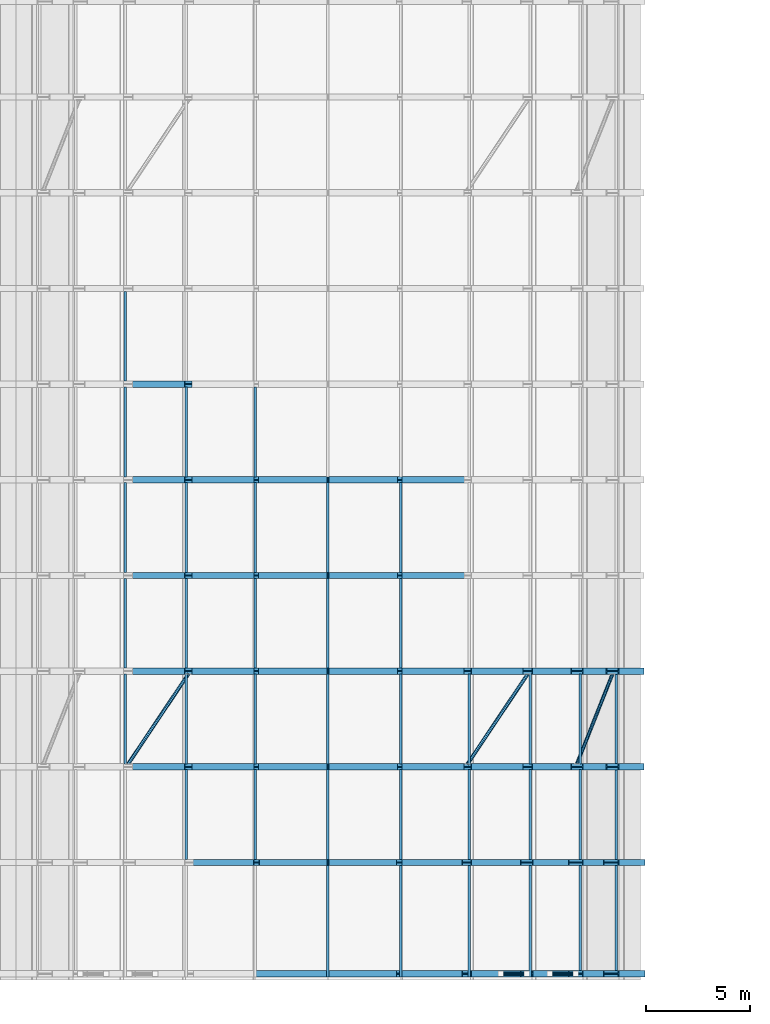
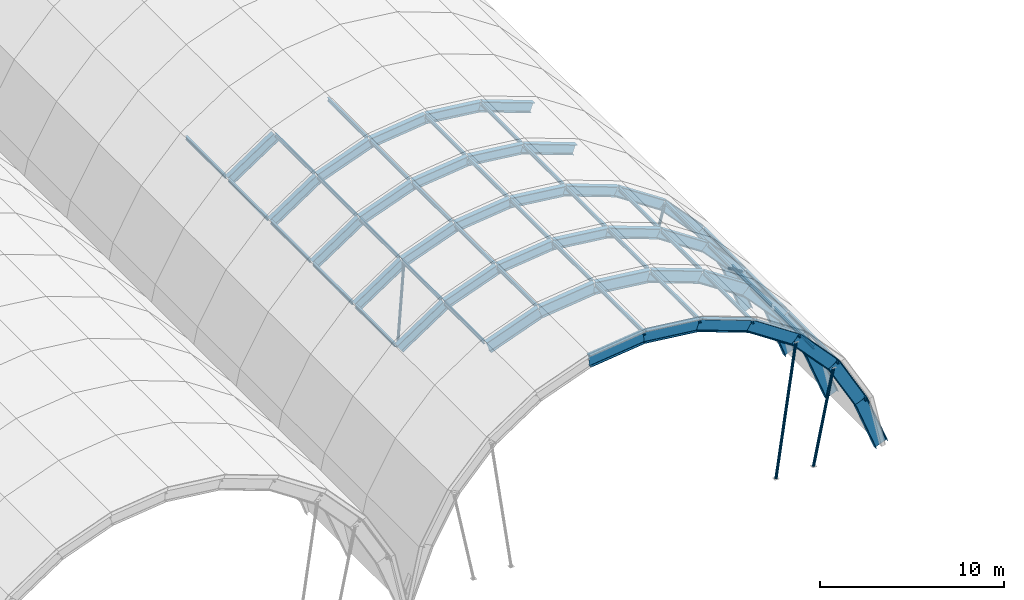
# One storey, part 14 of 47: 81 beams, 5 members.
"""IFC4 building model written with IfcOpenShell, lengths in metres."""

from ifc_helpers import new_model, si_unit, direction, frame, origin, origin_2d, place, context, subcontext, project, spatial, hollow_circle, i_section, extrude, material, material_profile, profile_set, type_object, element, save


model = new_model("IFC4")

# Units and contexts
model_context = context("Model", 3, precision=1e-05, world=origin(), true_north=direction((0.0, 1.0)))
body_context = subcontext(model_context, "Body", "Model", "MODEL_VIEW")
ifc_project = project(units=[si_unit("LENGTHUNIT", "METRE"), si_unit("AREAUNIT", "SQUARE_METRE"), si_unit("VOLUMEUNIT", "CUBIC_METRE"), si_unit("PLANEANGLEUNIT", "RADIAN"), si_unit("MASSUNIT", "GRAM", prefix="KILO")], contexts=[model_context])

# Site, building, storey
site_placement = place(None, origin())
site = spatial("IfcSite", under=ifc_project, at=site_placement, CompositionType="ELEMENT")
building_placement = place(site_placement, origin())
building = spatial("IfcBuilding", under=site, at=building_placement, Name="Muzn Square Opera House", CompositionType="ELEMENT")
storey_placement = place(building_placement, frame((0.0, 0.0, 31.0)))
storey = spatial("IfcBuildingStorey", under=building, at=storey_placement, Name="RF-1", CompositionType="ELEMENT", Elevation=31.0)

# Beams
ifc_material = material(Name="Steel S355", Category="steel")
ifc_material_profile_1 = material_profile(ifc_material, i_section(OverallWidth=0.300048828125, OverallDepth=0.800048828125, WebThickness=0.017578125, FlangeThickness=0.032958984375, FilletRadius=0.030029296875, at=origin_2d()), Name="HEB 800", Category="steel")
ifc_profile_set_1 = profile_set([ifc_material_profile_1], Name="Steel S355")
beam_type_1 = type_object("IfcBeamType", Name="Gable Arch Rib HEB800", PredefinedType="BEAM", material=ifc_profile_set_1)
for number, where, z_axis, x_axis, name in (
    (1, (114.567138671875, 21.25, -0.644287109375), (0.99313613312, 0.0, 0.116964187216), (0.0, 1.0, 0.0), "Barrel Vault Arch Rib V3-00-S05"),
    (2, (118.0, 21.25, -0.239990234375), (0.99313613312, 0.0, -0.116964187216), (0.0, 1.0, 0.0), "Barrel Vault Arch Rib V3-00-S06"),
):
    element("IfcBeam", number, at=place(storey_placement, frame(where, z_axis=z_axis, x_axis=x_axis)), inside=storey, type_object=beam_type_1, Name=name, PredefinedType="BEAM", context=body_context, shape_type="SweptSolid", body=[
        extrude(i_section(OverallWidth=0.300048828125, OverallDepth=0.800048828125, WebThickness=0.017578125, FlangeThickness=0.032958984375, FilletRadius=0.030029296875, at=origin_2d()), origin(), (0.0, 0.0, 1.0), 3.45654296875),
    ])
for number, where, z_axis, x_axis, name in (
    (3, (121.432861328125, 21.25, -0.644287109375), (0.938647830501, 0.0, -0.344877152471), (0.0, 1.0, 0.0), "Barrel Vault Arch Rib V3-00-S07"),
    (4, (124.677490234375, 21.25, -1.83642578125), (0.832701668502, 0.0, -0.553721889827), (0.0, 1.0, 0.0), "Barrel Vault Arch Rib V3-00-S08"),
):
    element("IfcBeam", number, at=place(storey_placement, frame(where, z_axis=z_axis, x_axis=x_axis)), inside=storey, type_object=beam_type_1, Name=name, PredefinedType="BEAM", context=body_context, shape_type="SweptSolid", body=[
        extrude(i_section(OverallWidth=0.300048828125, OverallDepth=0.800048828125, WebThickness=0.017578125, FlangeThickness=0.032958984375, FilletRadius=0.030029296875, at=origin_2d()), origin(), (0.0, 0.0, 1.0), 3.456787109375),
    ])
beam_1_placement = place(storey_placement, frame((127.555908203125, 21.25, -3.75048828125), z_axis=(0.681076644636, 0.0, -0.732212130555), x_axis=(0.0, 1.0, 0.0)))
element("IfcBeam", 5, at=beam_1_placement, inside=storey, type_object=beam_type_1, Name="Barrel Vault Arch Rib V3-00-S09", PredefinedType="BEAM", context=body_context, shape_type="SweptSolid", body=[
    extrude(i_section(OverallWidth=0.300048828125, OverallDepth=0.800048828125, WebThickness=0.017578125, FlangeThickness=0.032958984375, FilletRadius=0.030029296875, at=origin_2d()), origin(), (0.0, 0.0, 1.0), 3.45654296875),
])
beam_2_placement = place(storey_placement, frame((129.91015625, 21.25, -6.281494140625), z_axis=(0.492117762624, 0.0, -0.870528636927), x_axis=(0.0, 1.0, 0.0)))
element("IfcBeam", 6, at=beam_2_placement, inside=storey, type_object=beam_type_1, Name="Barrel Vault Arch Rib V3-00-S10", PredefinedType="BEAM", context=body_context, shape_type="SweptSolid", body=[
    extrude(i_section(OverallWidth=0.300048828125, OverallDepth=0.800048828125, WebThickness=0.017578125, FlangeThickness=0.032958984375, FilletRadius=0.030029296875, at=origin_2d()), origin(), (0.0, 0.0, 1.0), 3.456787109375),
])
beam_3_placement = place(storey_placement, frame((131.611328125, 21.25, -9.290771484375), z_axis=(0.362708999619, 0.0, -0.931902452832), x_axis=(0.0, 1.0, 0.0)))
element("IfcBeam", 7, at=beam_3_placement, inside=storey, type_object=beam_type_1, Name="Barrel Vault Arch Rib V3-00-S11", PredefinedType="BEAM", context=body_context, shape_type="SweptSolid", body=[
    extrude(i_section(OverallWidth=0.300048828125, OverallDepth=0.800048828125, WebThickness=0.017578125, FlangeThickness=0.032958984375, FilletRadius=0.030029296875, at=origin_2d()), origin(), (0.0, 0.0, 1.0), 3.49755859375),
])
beam_4_placement = place(storey_placement, frame((111.322509765625, 26.60009765625, -1.83642578125), z_axis=(0.938647830501, 0.0, 0.344877152471), x_axis=(0.0, 1.0, 0.0)))
element("IfcBeam", 8, at=beam_4_placement, inside=storey, type_object=beam_type_1, Name="Barrel Vault Arch Rib V3-01-S04", PredefinedType="BEAM", context=body_context, shape_type="SweptSolid", body=[
    extrude(i_section(OverallWidth=0.300048828125, OverallDepth=0.800048828125, WebThickness=0.017578125, FlangeThickness=0.032958984375, FilletRadius=0.030029296875, at=origin_2d()), origin(), (0.0, 0.0, 1.0), 3.456787109375),
])
for number, where, z_axis, x_axis, name in (
    (9, (114.567138671875, 26.60009765625, -0.644287109375), (0.99313613312, 0.0, 0.116964187216), (0.0, 1.0, 0.0), "Barrel Vault Arch Rib V3-01-S05"),
    (10, (118.0, 26.60009765625, -0.239990234375), (0.99313613312, 0.0, -0.116964187216), (0.0, 1.0, 0.0), "Barrel Vault Arch Rib V3-01-S06"),
):
    element("IfcBeam", number, at=place(storey_placement, frame(where, z_axis=z_axis, x_axis=x_axis)), inside=storey, type_object=beam_type_1, Name=name, PredefinedType="BEAM", context=body_context, shape_type="SweptSolid", body=[
        extrude(i_section(OverallWidth=0.300048828125, OverallDepth=0.800048828125, WebThickness=0.017578125, FlangeThickness=0.032958984375, FilletRadius=0.030029296875, at=origin_2d()), origin(), (0.0, 0.0, 1.0), 3.45654296875),
    ])
for number, where, z_axis, x_axis, name in (
    (11, (121.432861328125, 26.60009765625, -0.644287109375), (0.938647830501, 0.0, -0.344877152471), (0.0, 1.0, 0.0), "Barrel Vault Arch Rib V3-01-S07"),
    (12, (124.677490234375, 26.60009765625, -1.83642578125), (0.832701668502, 0.0, -0.553721889827), (0.0, 1.0, 0.0), "Barrel Vault Arch Rib V3-01-S08"),
):
    element("IfcBeam", number, at=place(storey_placement, frame(where, z_axis=z_axis, x_axis=x_axis)), inside=storey, type_object=beam_type_1, Name=name, PredefinedType="BEAM", context=body_context, shape_type="SweptSolid", body=[
        extrude(i_section(OverallWidth=0.300048828125, OverallDepth=0.800048828125, WebThickness=0.017578125, FlangeThickness=0.032958984375, FilletRadius=0.030029296875, at=origin_2d()), origin(), (0.0, 0.0, 1.0), 3.456787109375),
    ])
beam_5_placement = place(storey_placement, frame((127.555908203125, 26.60009765625, -3.75048828125), z_axis=(0.681076644636, 0.0, -0.732212130555), x_axis=(0.0, 1.0, 0.0)))
element("IfcBeam", 13, at=beam_5_placement, inside=storey, type_object=beam_type_1, Name="Barrel Vault Arch Rib V3-01-S09", PredefinedType="BEAM", context=body_context, shape_type="SweptSolid", body=[
    extrude(i_section(OverallWidth=0.300048828125, OverallDepth=0.800048828125, WebThickness=0.017578125, FlangeThickness=0.032958984375, FilletRadius=0.030029296875, at=origin_2d()), origin(), (0.0, 0.0, 1.0), 3.45654296875),
])
beam_6_placement = place(storey_placement, frame((129.91015625, 26.60009765625, -6.281494140625), z_axis=(0.492117762624, 0.0, -0.870528636927), x_axis=(0.0, 1.0, 0.0)))
element("IfcBeam", 14, at=beam_6_placement, inside=storey, type_object=beam_type_1, Name="Barrel Vault Arch Rib V3-01-S10", PredefinedType="BEAM", context=body_context, shape_type="SweptSolid", body=[
    extrude(i_section(OverallWidth=0.300048828125, OverallDepth=0.800048828125, WebThickness=0.017578125, FlangeThickness=0.032958984375, FilletRadius=0.030029296875, at=origin_2d()), origin(), (0.0, 0.0, 1.0), 3.456787109375),
])
beam_7_placement = place(storey_placement, frame((131.611328125, 26.60009765625, -9.290771484375), z_axis=(0.362708999619, 0.0, -0.931902452832), x_axis=(0.0, 1.0, 0.0)))
element("IfcBeam", 15, at=beam_7_placement, inside=storey, type_object=beam_type_1, Name="Barrel Vault Arch Rib V3-01-S11", PredefinedType="BEAM", context=body_context, shape_type="SweptSolid", body=[
    extrude(i_section(OverallWidth=0.300048828125, OverallDepth=0.800048828125, WebThickness=0.017578125, FlangeThickness=0.032958984375, FilletRadius=0.030029296875, at=origin_2d()), origin(), (0.0, 0.0, 1.0), 3.49755859375),
])
ifc_material_profile_2 = material_profile(ifc_material, i_section(OverallWidth=0.1201171875, OverallDepth=0.239990234375, WebThickness=0.006103515625, FlangeThickness=0.009765625, FilletRadius=0.014892578125, at=origin_2d()), Name="IPE 240", Category="steel")
ifc_profile_set_2 = profile_set([ifc_material_profile_2], Name="Steel S355")
beam_type_2 = type_object("IfcBeamType", Name="Roof Purlin IPE240", PredefinedType="USERDEFINED", material=ifc_profile_set_2)
for number, where, z_axis, x_axis, name in (
    (16, (118.0, 21.090087890625, 0.0400390625), (0.0, 1.0, 0.0), (-1.0, 0.0, 0.0), "Barrel Vault Roof Purlin V3-00-P12"),
    (17, (121.498046875, 21.090087890625, -0.3720703125), (0.0, 1.0, 0.0), (-1.0, 0.0, 0.0), "Barrel Vault Roof Purlin V3-00-P14"),
    (18, (124.80419921875, 21.090087890625, -1.5869140625), (0.0, 1.0, 0.0), (-1.0, 0.0, 0.0), "Barrel Vault Roof Purlin V3-00-P16"),
    (19, (127.7373046875, 21.090087890625, -3.537109375), (0.0, 1.0, 0.0), (-1.0, 0.0, 0.0), "Barrel Vault Roof Purlin V3-00-P18"),
    (20, (130.13623046875, 21.090087890625, -6.1162109375), (0.0, 1.0, 0.0), (-1.0, 0.0, 0.0), "Barrel Vault Roof Purlin V3-00-P20"),
    (21, (131.869384765625, 21.090087890625, -9.1826171875), (0.0, 1.0, 0.0), (-1.0, 0.0, 0.0), "Barrel Vault Roof Purlin V3-00-P22"),
):
    element("IfcBeam", number, at=place(storey_placement, frame(where, z_axis=z_axis, x_axis=x_axis)), inside=storey, type_object=beam_type_2, Name=name, ObjectType="PURLIN", PredefinedType="USERDEFINED", context=body_context, shape_type="SweptSolid", body=[
        extrude(i_section(OverallWidth=0.1201171875, OverallDepth=0.239990234375, WebThickness=0.006103515625, FlangeThickness=0.009765625, FilletRadius=0.014892578125, at=origin_2d()), origin(), (0.0, 0.0, 1.0), 5.369873046875),
    ])
for number, where, z_axis, x_axis, name in (
    (22, (111.19580078125, 26.739990234375, -1.5869140625), (0.0, 1.0, 0.0), (-1.0, 0.0, 0.0), "Barrel Vault Roof Purlin V3-01-P08"),
    (23, (114.501953125, 26.739990234375, -0.3720703125), (0.0, 1.0, 0.0), (-1.0, 0.0, 0.0), "Barrel Vault Roof Purlin V3-01-P10"),
    (24, (118.0, 26.739990234375, 0.0400390625), (0.0, 1.0, 0.0), (-1.0, 0.0, 0.0), "Barrel Vault Roof Purlin V3-01-P12"),
    (25, (121.498046875, 26.739990234375, -0.3720703125), (0.0, 1.0, 0.0), (-1.0, 0.0, 0.0), "Barrel Vault Roof Purlin V3-01-P14"),
    (26, (124.80419921875, 26.739990234375, -1.5869140625), (0.0, 1.0, 0.0), (-1.0, 0.0, 0.0), "Barrel Vault Roof Purlin V3-01-P16"),
    (27, (127.7373046875, 26.739990234375, -3.537109375), (0.0, 1.0, 0.0), (-1.0, 0.0, 0.0), "Barrel Vault Roof Purlin V3-01-P18"),
    (28, (130.13623046875, 26.739990234375, -6.1162109375), (0.0, 1.0, 0.0), (-1.0, 0.0, 0.0), "Barrel Vault Roof Purlin V3-01-P20"),
    (29, (131.869384765625, 26.739990234375, -9.1826171875), (0.0, 1.0, 0.0), (-1.0, 0.0, 0.0), "Barrel Vault Roof Purlin V3-01-P22"),
):
    element("IfcBeam", number, at=place(storey_placement, frame(where, z_axis=z_axis, x_axis=x_axis)), inside=storey, type_object=beam_type_2, Name=name, ObjectType="PURLIN", PredefinedType="USERDEFINED", context=body_context, shape_type="SweptSolid", body=[
        extrude(i_section(OverallWidth=0.1201171875, OverallDepth=0.239990234375, WebThickness=0.006103515625, FlangeThickness=0.009765625, FilletRadius=0.014892578125, at=origin_2d()), origin(), (0.0, 0.0, 1.0), 4.320068359375),
    ])
for number, where, z_axis, x_axis, name in (
    (30, (108.2626953125, 31.340087890625, -3.537109375), (0.0, 1.0, 0.0), (-1.0, 0.0, 0.0), "Barrel Vault Roof Purlin V3-02-P06"),
    (31, (111.19580078125, 31.340087890625, -1.5869140625), (0.0, 1.0, 0.0), (-1.0, 0.0, 0.0), "Barrel Vault Roof Purlin V3-02-P08"),
    (32, (114.501953125, 31.340087890625, -0.3720703125), (0.0, 1.0, 0.0), (-1.0, 0.0, 0.0), "Barrel Vault Roof Purlin V3-02-P10"),
    (33, (118.0, 31.340087890625, 0.0400390625), (0.0, 1.0, 0.0), (-1.0, 0.0, 0.0), "Barrel Vault Roof Purlin V3-02-P12"),
    (34, (121.498046875, 31.340087890625, -0.3720703125), (0.0, 1.0, 0.0), (-1.0, 0.0, 0.0), "Barrel Vault Roof Purlin V3-02-P14"),
    (35, (124.80419921875, 31.340087890625, -1.5869140625), (0.0, 1.0, 0.0), (-1.0, 0.0, 0.0), "Barrel Vault Roof Purlin V3-02-P16"),
    (36, (127.7373046875, 31.340087890625, -3.537109375), (0.0, 1.0, 0.0), (-1.0, 0.0, 0.0), "Barrel Vault Roof Purlin V3-02-P18"),
    (37, (130.13623046875, 31.340087890625, -6.1162109375), (0.0, 1.0, 0.0), (-1.0, 0.0, 0.0), "Barrel Vault Roof Purlin V3-02-P20"),
    (38, (131.869384765625, 31.340087890625, -9.1826171875), (0.0, 1.0, 0.0), (-1.0, 0.0, 0.0), "Barrel Vault Roof Purlin V3-02-P22"),
):
    element("IfcBeam", number, at=place(storey_placement, frame(where, z_axis=z_axis, x_axis=x_axis)), inside=storey, type_object=beam_type_2, Name=name, ObjectType="PURLIN", PredefinedType="USERDEFINED", context=body_context, shape_type="SweptSolid", body=[
        extrude(i_section(OverallWidth=0.1201171875, OverallDepth=0.239990234375, WebThickness=0.006103515625, FlangeThickness=0.009765625, FilletRadius=0.014892578125, at=origin_2d()), origin(), (0.0, 0.0, 1.0), 4.31982421875),
    ])
for number, where, z_axis, x_axis, name in (
    (39, (108.2626953125, 35.93994140625, -3.537109375), (0.0, 1.0, 0.0), (-1.0, 0.0, 0.0), "Barrel Vault Roof Purlin V3-03-P06"),
    (40, (111.19580078125, 35.93994140625, -1.5869140625), (0.0, 1.0, 0.0), (-1.0, 0.0, 0.0), "Barrel Vault Roof Purlin V3-03-P08"),
    (41, (114.501953125, 35.93994140625, -0.3720703125), (0.0, 1.0, 0.0), (-1.0, 0.0, 0.0), "Barrel Vault Roof Purlin V3-03-P10"),
    (42, (118.0, 35.93994140625, 0.0400390625), (0.0, 1.0, 0.0), (-1.0, 0.0, 0.0), "Barrel Vault Roof Purlin V3-03-P12"),
    (43, (121.498046875, 35.93994140625, -0.3720703125), (0.0, 1.0, 0.0), (-1.0, 0.0, 0.0), "Barrel Vault Roof Purlin V3-03-P14"),
    (44, (108.2626953125, 40.5400390625, -3.537109375), (0.0, 1.0, 0.0), (-1.0, 0.0, 0.0), "Barrel Vault Roof Purlin V3-04-P06"),
    (45, (111.19580078125, 40.5400390625, -1.5869140625), (0.0, 1.0, 0.0), (-1.0, 0.0, 0.0), "Barrel Vault Roof Purlin V3-04-P08"),
    (46, (114.501953125, 40.5400390625, -0.3720703125), (0.0, 1.0, 0.0), (-1.0, 0.0, 0.0), "Barrel Vault Roof Purlin V3-04-P10"),
    (47, (118.0, 40.5400390625, 0.0400390625), (0.0, 1.0, 0.0), (-1.0, 0.0, 0.0), "Barrel Vault Roof Purlin V3-04-P12"),
    (48, (121.498046875, 40.5400390625, -0.3720703125), (0.0, 1.0, 0.0), (-1.0, 0.0, 0.0), "Barrel Vault Roof Purlin V3-04-P14"),
    (49, (108.2626953125, 45.139892578125, -3.537109375), (0.0, 1.0, 0.0), (-1.0, 0.0, 0.0), "Barrel Vault Roof Purlin V3-05-P06"),
    (50, (111.19580078125, 45.139892578125, -1.5869140625), (0.0, 1.0, 0.0), (-1.0, 0.0, 0.0), "Barrel Vault Roof Purlin V3-05-P08"),
    (51, (114.501953125, 45.139892578125, -0.3720703125), (0.0, 1.0, 0.0), (-1.0, 0.0, 0.0), "Barrel Vault Roof Purlin V3-05-P10"),
    (52, (108.2626953125, 49.739990234375, -3.537109375), (0.0, 1.0, 0.0), (-1.0, 0.0, 0.0), "Barrel Vault Roof Purlin V3-06-P06"),
):
    element("IfcBeam", number, at=place(storey_placement, frame(where, z_axis=z_axis, x_axis=x_axis)), inside=storey, type_object=beam_type_2, Name=name, ObjectType="PURLIN", PredefinedType="USERDEFINED", context=body_context, shape_type="SweptSolid", body=[
        extrude(i_section(OverallWidth=0.1201171875, OverallDepth=0.239990234375, WebThickness=0.006103515625, FlangeThickness=0.009765625, FilletRadius=0.014892578125, at=origin_2d()), origin(), (0.0, 0.0, 1.0), 4.320068359375),
    ])
ifc_material_profile_3 = material_profile(ifc_material, i_section(OverallWidth=0.300048828125, OverallDepth=0.64990234375, WebThickness=0.01611328125, FlangeThickness=0.031005859375, FilletRadius=0.027099609375, at=origin_2d()), Name="HEB 650", Category="steel")
ifc_profile_set_3 = profile_set([ifc_material_profile_3], Name="Steel S355")
beam_type_3 = type_object("IfcBeamType", Name="Vault Arch Rib HEB650", PredefinedType="BEAM", material=ifc_profile_set_3)
beam_8_placement = place(storey_placement, frame((108.3955078125, 31.199951171875, -3.693359375), z_axis=(0.832698370736, 0.0, 0.553726849063), x_axis=(0.0, 1.0, 0.0)))
element("IfcBeam", 53, at=beam_8_placement, inside=storey, type_object=beam_type_3, Name="Barrel Vault Arch Rib V3-02-S03", PredefinedType="BEAM", context=body_context, shape_type="SweptSolid", body=[
    extrude(i_section(OverallWidth=0.300048828125, OverallDepth=0.64990234375, WebThickness=0.01611328125, FlangeThickness=0.031005859375, FilletRadius=0.027099609375, at=origin_2d()), origin(), (0.0, 0.0, 1.0), 3.474365234375),
])
beam_9_placement = place(storey_placement, frame((111.28857421875, 31.199951171875, -1.76953125), z_axis=(0.938661867851, 0.0, 0.344838944789), x_axis=(0.0, 1.0, 0.0)))
element("IfcBeam", 54, at=beam_9_placement, inside=storey, type_object=beam_type_3, Name="Barrel Vault Arch Rib V3-02-S04", PredefinedType="BEAM", context=body_context, shape_type="SweptSolid", body=[
    extrude(i_section(OverallWidth=0.300048828125, OverallDepth=0.64990234375, WebThickness=0.01611328125, FlangeThickness=0.031005859375, FilletRadius=0.027099609375, at=origin_2d()), origin(), (0.0, 0.0, 1.0), 3.47412109375),
])
for number, where, z_axis, x_axis, name in (
    (55, (114.549560546875, 31.199951171875, -0.571533203125), (0.993131884792, 0.0, 0.117000253887), (0.0, 1.0, 0.0), "Barrel Vault Arch Rib V3-02-S05"),
    (56, (118.0, 31.199951171875, -0.1650390625), (0.993131884792, 0.0, -0.117000253887), (0.0, 1.0, 0.0), "Barrel Vault Arch Rib V3-02-S06"),
):
    element("IfcBeam", number, at=place(storey_placement, frame(where, z_axis=z_axis, x_axis=x_axis)), inside=storey, type_object=beam_type_3, Name=name, PredefinedType="BEAM", context=body_context, shape_type="SweptSolid", body=[
        extrude(i_section(OverallWidth=0.300048828125, OverallDepth=0.64990234375, WebThickness=0.01611328125, FlangeThickness=0.031005859375, FilletRadius=0.027099609375, at=origin_2d()), origin(), (0.0, 0.0, 1.0), 3.474365234375),
    ])
beam_10_placement = place(storey_placement, frame((121.450439453125, 31.199951171875, -0.571533203125), z_axis=(0.938661867851, 0.0, -0.344838944789), x_axis=(0.0, 1.0, 0.0)))
element("IfcBeam", 57, at=beam_10_placement, inside=storey, type_object=beam_type_3, Name="Barrel Vault Arch Rib V3-02-S07", PredefinedType="BEAM", context=body_context, shape_type="SweptSolid", body=[
    extrude(i_section(OverallWidth=0.300048828125, OverallDepth=0.64990234375, WebThickness=0.01611328125, FlangeThickness=0.031005859375, FilletRadius=0.027099609375, at=origin_2d()), origin(), (0.0, 0.0, 1.0), 3.47412109375),
])
for number, where, z_axis, x_axis, name in (
    (58, (124.71142578125, 31.199951171875, -1.76953125), (0.832698370736, 0.0, -0.553726849063), (0.0, 1.0, 0.0), "Barrel Vault Arch Rib V3-02-S08"),
    (59, (127.6044921875, 31.199951171875, -3.693359375), (0.681065393401, 0.0, -0.732222595876), (0.0, 1.0, 0.0), "Barrel Vault Arch Rib V3-02-S09"),
):
    element("IfcBeam", number, at=place(storey_placement, frame(where, z_axis=z_axis, x_axis=x_axis)), inside=storey, type_object=beam_type_3, Name=name, PredefinedType="BEAM", context=body_context, shape_type="SweptSolid", body=[
        extrude(i_section(OverallWidth=0.300048828125, OverallDepth=0.64990234375, WebThickness=0.01611328125, FlangeThickness=0.031005859375, FilletRadius=0.027099609375, at=origin_2d()), origin(), (0.0, 0.0, 1.0), 3.474365234375),
    ])
beam_11_placement = place(storey_placement, frame((129.970703125, 31.199951171875, -6.2373046875), z_axis=(0.492115144444, 0.0, -0.870530117003), x_axis=(0.0, 1.0, 0.0)))
element("IfcBeam", 60, at=beam_11_placement, inside=storey, type_object=beam_type_3, Name="Barrel Vault Arch Rib V3-02-S10", PredefinedType="BEAM", context=body_context, shape_type="SweptSolid", body=[
    extrude(i_section(OverallWidth=0.300048828125, OverallDepth=0.64990234375, WebThickness=0.01611328125, FlangeThickness=0.031005859375, FilletRadius=0.027099609375, at=origin_2d()), origin(), (0.0, 0.0, 1.0), 3.47412109375),
])
beam_12_placement = place(storey_placement, frame((131.680419921875, 31.199951171875, -9.26171875), z_axis=(0.342678144973, 0.0, -0.93945286681), x_axis=(0.0, 1.0, 0.0)))
element("IfcBeam", 61, at=beam_12_placement, inside=storey, type_object=beam_type_3, Name="Barrel Vault Arch Rib V3-02-S11", PredefinedType="BEAM", context=body_context, shape_type="SweptSolid", body=[
    extrude(i_section(OverallWidth=0.300048828125, OverallDepth=0.64990234375, WebThickness=0.01611328125, FlangeThickness=0.031005859375, FilletRadius=0.027099609375, at=origin_2d()), origin(), (0.0, 0.0, 1.0), 3.500244140625),
])
beam_13_placement = place(storey_placement, frame((108.3955078125, 35.800048828125, -3.693359375), z_axis=(0.832698370736, 0.0, 0.553726849063), x_axis=(0.0, 1.0, 0.0)))
element("IfcBeam", 62, at=beam_13_placement, inside=storey, type_object=beam_type_3, Name="Barrel Vault Arch Rib V3-03-S03", PredefinedType="BEAM", context=body_context, shape_type="SweptSolid", body=[
    extrude(i_section(OverallWidth=0.300048828125, OverallDepth=0.64990234375, WebThickness=0.01611328125, FlangeThickness=0.031005859375, FilletRadius=0.027099609375, at=origin_2d()), origin(), (0.0, 0.0, 1.0), 3.474365234375),
])
beam_14_placement = place(storey_placement, frame((111.28857421875, 35.800048828125, -1.76953125), z_axis=(0.938661867851, 0.0, 0.344838944789), x_axis=(0.0, 1.0, 0.0)))
element("IfcBeam", 63, at=beam_14_placement, inside=storey, type_object=beam_type_3, Name="Barrel Vault Arch Rib V3-03-S04", PredefinedType="BEAM", context=body_context, shape_type="SweptSolid", body=[
    extrude(i_section(OverallWidth=0.300048828125, OverallDepth=0.64990234375, WebThickness=0.01611328125, FlangeThickness=0.031005859375, FilletRadius=0.027099609375, at=origin_2d()), origin(), (0.0, 0.0, 1.0), 3.47412109375),
])
for number, where, z_axis, x_axis, name in (
    (64, (114.549560546875, 35.800048828125, -0.571533203125), (0.993131884792, 0.0, 0.117000253887), (0.0, 1.0, 0.0), "Barrel Vault Arch Rib V3-03-S05"),
    (65, (118.0, 35.800048828125, -0.1650390625), (0.993131884792, 0.0, -0.117000253887), (0.0, 1.0, 0.0), "Barrel Vault Arch Rib V3-03-S06"),
):
    element("IfcBeam", number, at=place(storey_placement, frame(where, z_axis=z_axis, x_axis=x_axis)), inside=storey, type_object=beam_type_3, Name=name, PredefinedType="BEAM", context=body_context, shape_type="SweptSolid", body=[
        extrude(i_section(OverallWidth=0.300048828125, OverallDepth=0.64990234375, WebThickness=0.01611328125, FlangeThickness=0.031005859375, FilletRadius=0.027099609375, at=origin_2d()), origin(), (0.0, 0.0, 1.0), 3.474365234375),
    ])
beam_15_placement = place(storey_placement, frame((121.450439453125, 35.800048828125, -0.571533203125), z_axis=(0.938661867851, 0.0, -0.344838944789), x_axis=(0.0, 1.0, 0.0)))
element("IfcBeam", 66, at=beam_15_placement, inside=storey, type_object=beam_type_3, Name="Barrel Vault Arch Rib V3-03-S07", PredefinedType="BEAM", context=body_context, shape_type="SweptSolid", body=[
    extrude(i_section(OverallWidth=0.300048828125, OverallDepth=0.64990234375, WebThickness=0.01611328125, FlangeThickness=0.031005859375, FilletRadius=0.027099609375, at=origin_2d()), origin(), (0.0, 0.0, 1.0), 3.47412109375),
])
for number, where, z_axis, x_axis, name in (
    (67, (124.71142578125, 35.800048828125, -1.76953125), (0.832698370736, 0.0, -0.553726849063), (0.0, 1.0, 0.0), "Barrel Vault Arch Rib V3-03-S08"),
    (68, (127.6044921875, 35.800048828125, -3.693359375), (0.681065393401, 0.0, -0.732222595876), (0.0, 1.0, 0.0), "Barrel Vault Arch Rib V3-03-S09"),
):
    element("IfcBeam", number, at=place(storey_placement, frame(where, z_axis=z_axis, x_axis=x_axis)), inside=storey, type_object=beam_type_3, Name=name, PredefinedType="BEAM", context=body_context, shape_type="SweptSolid", body=[
        extrude(i_section(OverallWidth=0.300048828125, OverallDepth=0.64990234375, WebThickness=0.01611328125, FlangeThickness=0.031005859375, FilletRadius=0.027099609375, at=origin_2d()), origin(), (0.0, 0.0, 1.0), 3.474365234375),
    ])
beam_16_placement = place(storey_placement, frame((129.970703125, 35.800048828125, -6.2373046875), z_axis=(0.492115144444, 0.0, -0.870530117003), x_axis=(0.0, 1.0, 0.0)))
element("IfcBeam", 69, at=beam_16_placement, inside=storey, type_object=beam_type_3, Name="Barrel Vault Arch Rib V3-03-S10", PredefinedType="BEAM", context=body_context, shape_type="SweptSolid", body=[
    extrude(i_section(OverallWidth=0.300048828125, OverallDepth=0.64990234375, WebThickness=0.01611328125, FlangeThickness=0.031005859375, FilletRadius=0.027099609375, at=origin_2d()), origin(), (0.0, 0.0, 1.0), 3.47412109375),
])
beam_17_placement = place(storey_placement, frame((131.680419921875, 35.800048828125, -9.26171875), z_axis=(0.342678144973, 0.0, -0.93945286681), x_axis=(0.0, 1.0, 0.0)))
element("IfcBeam", 70, at=beam_17_placement, inside=storey, type_object=beam_type_3, Name="Barrel Vault Arch Rib V3-03-S11", PredefinedType="BEAM", context=body_context, shape_type="SweptSolid", body=[
    extrude(i_section(OverallWidth=0.300048828125, OverallDepth=0.64990234375, WebThickness=0.01611328125, FlangeThickness=0.031005859375, FilletRadius=0.027099609375, at=origin_2d()), origin(), (0.0, 0.0, 1.0), 3.500244140625),
])
beam_18_placement = place(storey_placement, frame((108.3955078125, 40.39990234375, -3.693359375), z_axis=(0.832698370736, 0.0, 0.553726849063), x_axis=(0.0, 1.0, 0.0)))
element("IfcBeam", 71, at=beam_18_placement, inside=storey, type_object=beam_type_3, Name="Barrel Vault Arch Rib V3-04-S03", PredefinedType="BEAM", context=body_context, shape_type="SweptSolid", body=[
    extrude(i_section(OverallWidth=0.300048828125, OverallDepth=0.64990234375, WebThickness=0.01611328125, FlangeThickness=0.031005859375, FilletRadius=0.027099609375, at=origin_2d()), origin(), (0.0, 0.0, 1.0), 3.474365234375),
])
beam_19_placement = place(storey_placement, frame((111.28857421875, 40.39990234375, -1.76953125), z_axis=(0.938661867851, 0.0, 0.344838944789), x_axis=(0.0, 1.0, 0.0)))
element("IfcBeam", 72, at=beam_19_placement, inside=storey, type_object=beam_type_3, Name="Barrel Vault Arch Rib V3-04-S04", PredefinedType="BEAM", context=body_context, shape_type="SweptSolid", body=[
    extrude(i_section(OverallWidth=0.300048828125, OverallDepth=0.64990234375, WebThickness=0.01611328125, FlangeThickness=0.031005859375, FilletRadius=0.027099609375, at=origin_2d()), origin(), (0.0, 0.0, 1.0), 3.47412109375),
])
for number, where, z_axis, x_axis, name in (
    (73, (114.549560546875, 40.39990234375, -0.571533203125), (0.993131884792, 0.0, 0.117000253887), (0.0, 1.0, 0.0), "Barrel Vault Arch Rib V3-04-S05"),
    (74, (118.0, 40.39990234375, -0.1650390625), (0.993131884792, 0.0, -0.117000253887), (0.0, 1.0, 0.0), "Barrel Vault Arch Rib V3-04-S06"),
):
    element("IfcBeam", number, at=place(storey_placement, frame(where, z_axis=z_axis, x_axis=x_axis)), inside=storey, type_object=beam_type_3, Name=name, PredefinedType="BEAM", context=body_context, shape_type="SweptSolid", body=[
        extrude(i_section(OverallWidth=0.300048828125, OverallDepth=0.64990234375, WebThickness=0.01611328125, FlangeThickness=0.031005859375, FilletRadius=0.027099609375, at=origin_2d()), origin(), (0.0, 0.0, 1.0), 3.474365234375),
    ])
beam_20_placement = place(storey_placement, frame((121.450439453125, 40.39990234375, -0.571533203125), z_axis=(0.938661867851, 0.0, -0.344838944789), x_axis=(0.0, 1.0, 0.0)))
element("IfcBeam", 75, at=beam_20_placement, inside=storey, type_object=beam_type_3, Name="Barrel Vault Arch Rib V3-04-S07", PredefinedType="BEAM", context=body_context, shape_type="SweptSolid", body=[
    extrude(i_section(OverallWidth=0.300048828125, OverallDepth=0.64990234375, WebThickness=0.01611328125, FlangeThickness=0.031005859375, FilletRadius=0.027099609375, at=origin_2d()), origin(), (0.0, 0.0, 1.0), 3.47412109375),
])
beam_21_placement = place(storey_placement, frame((108.3955078125, 45.0, -3.693359375), z_axis=(0.832698370736, 0.0, 0.553726849063), x_axis=(0.0, 1.0, 0.0)))
element("IfcBeam", 76, at=beam_21_placement, inside=storey, type_object=beam_type_3, Name="Barrel Vault Arch Rib V3-05-S03", PredefinedType="BEAM", context=body_context, shape_type="SweptSolid", body=[
    extrude(i_section(OverallWidth=0.300048828125, OverallDepth=0.64990234375, WebThickness=0.01611328125, FlangeThickness=0.031005859375, FilletRadius=0.027099609375, at=origin_2d()), origin(), (0.0, 0.0, 1.0), 3.474365234375),
])
beam_22_placement = place(storey_placement, frame((111.28857421875, 45.0, -1.76953125), z_axis=(0.938661867851, 0.0, 0.344838944789), x_axis=(0.0, 1.0, 0.0)))
element("IfcBeam", 77, at=beam_22_placement, inside=storey, type_object=beam_type_3, Name="Barrel Vault Arch Rib V3-05-S04", PredefinedType="BEAM", context=body_context, shape_type="SweptSolid", body=[
    extrude(i_section(OverallWidth=0.300048828125, OverallDepth=0.64990234375, WebThickness=0.01611328125, FlangeThickness=0.031005859375, FilletRadius=0.027099609375, at=origin_2d()), origin(), (0.0, 0.0, 1.0), 3.47412109375),
])
for number, where, z_axis, x_axis, name in (
    (78, (114.549560546875, 45.0, -0.571533203125), (0.993131884792, 0.0, 0.117000253887), (0.0, 1.0, 0.0), "Barrel Vault Arch Rib V3-05-S05"),
    (79, (118.0, 45.0, -0.1650390625), (0.993131884792, 0.0, -0.117000253887), (0.0, 1.0, 0.0), "Barrel Vault Arch Rib V3-05-S06"),
):
    element("IfcBeam", number, at=place(storey_placement, frame(where, z_axis=z_axis, x_axis=x_axis)), inside=storey, type_object=beam_type_3, Name=name, PredefinedType="BEAM", context=body_context, shape_type="SweptSolid", body=[
        extrude(i_section(OverallWidth=0.300048828125, OverallDepth=0.64990234375, WebThickness=0.01611328125, FlangeThickness=0.031005859375, FilletRadius=0.027099609375, at=origin_2d()), origin(), (0.0, 0.0, 1.0), 3.474365234375),
    ])
beam_23_placement = place(storey_placement, frame((121.450439453125, 45.0, -0.571533203125), z_axis=(0.938661867851, 0.0, -0.344838944789), x_axis=(0.0, 1.0, 0.0)))
element("IfcBeam", 80, at=beam_23_placement, inside=storey, type_object=beam_type_3, Name="Barrel Vault Arch Rib V3-05-S07", PredefinedType="BEAM", context=body_context, shape_type="SweptSolid", body=[
    extrude(i_section(OverallWidth=0.300048828125, OverallDepth=0.64990234375, WebThickness=0.01611328125, FlangeThickness=0.031005859375, FilletRadius=0.027099609375, at=origin_2d()), origin(), (0.0, 0.0, 1.0), 3.47412109375),
])
beam_24_placement = place(storey_placement, frame((108.3955078125, 49.60009765625, -3.693359375), z_axis=(0.832698370736, 0.0, 0.553726849063), x_axis=(0.0, 1.0, 0.0)))
element("IfcBeam", 81, at=beam_24_placement, inside=storey, type_object=beam_type_3, Name="Barrel Vault Arch Rib V3-06-S03", PredefinedType="BEAM", context=body_context, shape_type="SweptSolid", body=[
    extrude(i_section(OverallWidth=0.300048828125, OverallDepth=0.64990234375, WebThickness=0.01611328125, FlangeThickness=0.031005859375, FilletRadius=0.027099609375, at=origin_2d()), origin(), (0.0, 0.0, 1.0), 3.474365234375),
])

# Members
ifc_material_profile_4 = material_profile(ifc_material, hollow_circle(Radius=0.084228515625, WallThickness=0.010009765625, at=origin_2d()), Name="CHS 168.3x10", Category="steel")
ifc_profile_set_4 = profile_set([ifc_material_profile_4], Name="Steel S355")
member_type = type_object("IfcMemberType", Name="Vault Wind Brace CHS168", PredefinedType="BRACE", material=ifc_profile_set_4)
member_1_placement = place(storey_placement, frame((126.305908203125, 21.25, -12.580078125), z_axis=(0.143032519622, 0.0, 0.989717989293), x_axis=(0.0, 1.0, 0.0)))
element("IfcMember", 82, at=member_1_placement, inside=storey, type_object=member_type, Name="Exposed South Gable Arch Truss Web V3-W03", PredefinedType="BRACE", context=body_context, shape_type="SweptSolid", body=[
    extrude(hollow_circle(Radius=0.084228515625, WallThickness=0.010009765625, at=origin_2d()), origin(), (0.0, 0.0, 1.0), 8.7392578125),
])
member_2_placement = place(storey_placement, frame((128.66015625, 21.25, -12.580078125), z_axis=(0.200166815988, 0.0, 0.979761831149), x_axis=(0.0, 1.0, 0.0)))
element("IfcMember", 83, at=member_2_placement, inside=storey, type_object=member_type, Name="Exposed South Gable Arch Truss Web V3-W04", PredefinedType="BRACE", context=body_context, shape_type="SweptSolid", body=[
    extrude(hollow_circle(Radius=0.084228515625, WallThickness=0.010009765625, at=origin_2d()), origin(), (0.0, 0.0, 1.0), 6.244873046875),
])
for number, where, z_axis, x_axis, name in (
    (84, (108.3955078125, 31.340087890625, -3.693359375), (0.521872241446, 0.77924113419, 0.347034030599), (-0.830878099966, 0.556454475223, 0.0), "Barrel Vault Wind Brace V3-02-08"),
    (85, (124.71142578125, 31.340087890625, -1.76953125), (0.521872241446, 0.77924113419, -0.347034030599), (-0.830878099966, 0.556454475223, 0.0), "Barrel Vault Wind Brace V3-02-14"),
):
    element("IfcMember", number, at=place(storey_placement, frame(where, z_axis=z_axis, x_axis=x_axis)), inside=storey, type_object=member_type, Name=name, PredefinedType="BRACE", context=body_context, shape_type="SweptSolid", body=[
        extrude(hollow_circle(Radius=0.084228515625, WallThickness=0.010009765625, at=origin_2d()), origin(), (0.0, 0.0, 1.0), 5.543701171875),
    ])
member_3_placement = place(storey_placement, frame((129.970703125, 31.340087890625, -6.2373046875), z_axis=(0.30841477359, 0.779250464645, -0.545572214085), x_axis=(-0.929822347688, 0.368008697912, 0.0)))
element("IfcMember", 86, at=member_3_placement, inside=storey, type_object=member_type, Name="Barrel Vault Wind Brace V3-02-18", PredefinedType="BRACE", context=body_context, shape_type="SweptSolid", body=[
    extrude(hollow_circle(Radius=0.084228515625, WallThickness=0.010009765625, at=origin_2d()), origin(), (0.0, 0.0, 1.0), 5.54345703125),
])

save(model, "model.ifc")
